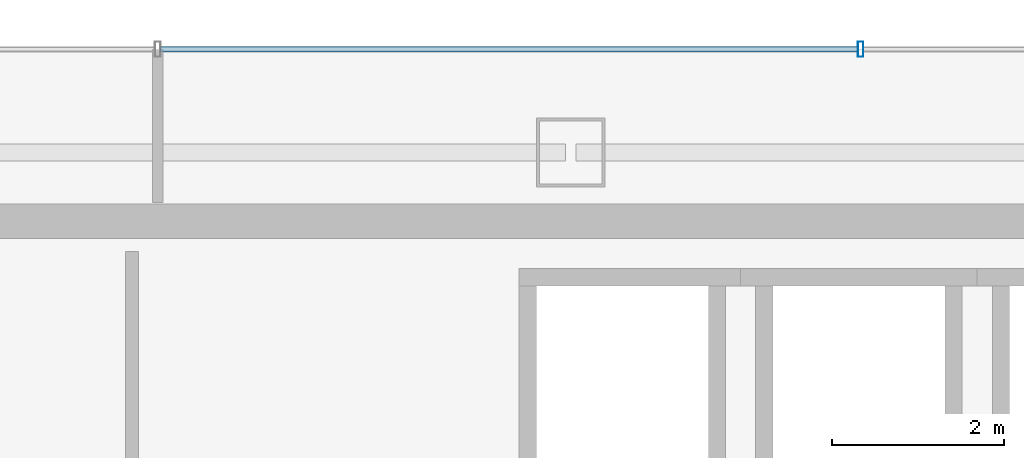
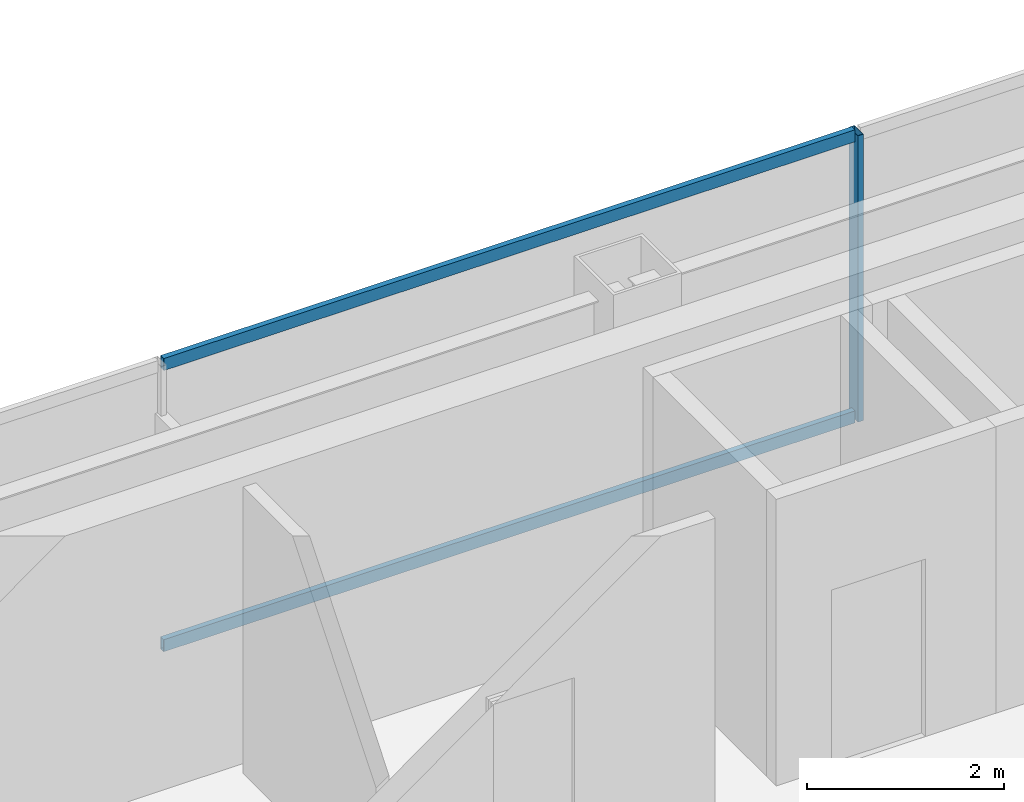
# One storey, part 19 of 31: 3 members, 1 element without a shape of its own.
"""IFC4 building model written with IfcOpenShell, lengths in metres."""

from ifc_helpers import new_model, si_unit, direction, frame, origin, origin_2d, place, context, subcontext, project, spatial, hollow_rectangle, extrude, material, material_profile, profile_set, type_object, element, aggregate, save


model = new_model("IFC4")

# Units and contexts
model_context = context("Model", 3, precision=1e-05, world=origin(), true_north=direction((0.0, 1.0)))
body_context = subcontext(model_context, "Body", "Model", "MODEL_VIEW")
ifc_project = project(units=[si_unit("LENGTHUNIT", "METRE"), si_unit("AREAUNIT", "SQUARE_METRE"), si_unit("VOLUMEUNIT", "CUBIC_METRE"), si_unit("PLANEANGLEUNIT", "RADIAN"), si_unit("MASSUNIT", "GRAM", prefix="KILO")], contexts=[model_context])

# Site, building, storey
site_placement = place(None, origin())
site = spatial("IfcSite", under=ifc_project, at=site_placement, CompositionType="ELEMENT")
building_placement = place(site_placement, origin())
building = spatial("IfcBuilding", under=site, at=building_placement, Name="Saevonmaru Cultural Tower", CompositionType="ELEMENT")
storey_placement = place(building_placement, frame((0.0, 0.0, 230.60009765625)))
storey = spatial("IfcBuildingStorey", under=building, at=storey_placement, Name="L53", CompositionType="ELEMENT", Elevation=230.60009765625)

# Curtain wall, members
ifc_material = material(Name="Satin Bronze Anodised Aluminium", Category="aluminium")
curtain_wall_type = type_object("IfcCurtainWallType", Name="CW-SKY-GLZ", PredefinedType="NOTDEFINED", material=ifc_material)
curtain_wall_placement = place(storey_placement, origin())
curtain_wall = element("IfcCurtainWall", 1, at=curtain_wall_placement, inside=storey, type_object=curtain_wall_type, Name="L53 North Spine Unitised Curtain Wall E10B", PredefinedType="NOTDEFINED")
ifc_material_profile_1 = material_profile(ifc_material, hollow_rectangle(XDim=0.06494140625, YDim=0.179931640625, WallThickness=0.00390625, at=origin_2d()), Name="ALU-MULL-180x65x4")
ifc_profile_set_1 = profile_set([ifc_material_profile_1], Name="Satin Bronze Anodised Aluminium")
member_type_1 = type_object("IfcMemberType", Name="ML-CW-180x65", PredefinedType="MULLION", material=ifc_profile_set_1)
member_1_placement = place(storey_placement, frame((38.169921875, 56.0, 0.0), z_axis=(0.0, 0.0, 1.0), x_axis=(-1.0, 0.0, 0.0)))
member_1 = element("IfcMember", 2, at=member_1_placement, type_object=member_type_1, Name="CW-TW-L53-E10B mullion 2", PredefinedType="MULLION", context=body_context, shape_type="SweptSolid", body=[
    extrude(hollow_rectangle(XDim=0.06494140625, YDim=0.179931640625, WallThickness=0.00390625, at=origin_2d()), origin(), (0.0, 0.0, 1.0), 3.5498046875),
])
ifc_material_profile_2 = material_profile(ifc_material, hollow_rectangle(XDim=0.06494140625, YDim=0.14990234375, WallThickness=0.00390625, at=origin_2d()), Name="ALU-TRAN-150x65x4")
ifc_profile_set_2 = profile_set([ifc_material_profile_2], Name="Satin Bronze Anodised Aluminium")
member_type_2 = type_object("IfcMemberType", Name="TR-CW-150x65", PredefinedType="USERDEFINED", material=ifc_profile_set_2)
member_2_placement = place(storey_placement, frame((38.137451171875, 56.0, 0.032470703125), z_axis=(-1.0, 0.0, 0.0), x_axis=(0.0, -1.0, 0.0)))
member_2 = element("IfcMember", 3, at=member_2_placement, type_object=member_type_2, Name="CW-TW-L53-E10B transom 2.1", ObjectType="TRANSOM", PredefinedType="USERDEFINED", context=body_context, shape_type="SweptSolid", body=[
    extrude(hollow_rectangle(XDim=0.06494140625, YDim=0.14990234375, WallThickness=0.00390625, at=origin_2d()), origin(), (0.0, 0.0, 1.0), 8.10498046875),
])
member_3_placement = place(storey_placement, frame((38.137451171875, 56.0, 3.517333984375), z_axis=(-1.0, 0.0, 0.0), x_axis=(0.0, -1.0, 0.0)))
member_3 = element("IfcMember", 4, at=member_3_placement, type_object=member_type_2, Name="CW-TW-L53-E10B transom 2.2", ObjectType="TRANSOM", PredefinedType="USERDEFINED", context=body_context, shape_type="SweptSolid", body=[
    extrude(hollow_rectangle(XDim=0.06494140625, YDim=0.14990234375, WallThickness=0.00390625, at=origin_2d()), origin(), (0.0, 0.0, 1.0), 8.10498046875),
])
aggregate(curtain_wall, [member_1, member_2, member_3])

save(model, "model.ifc")
